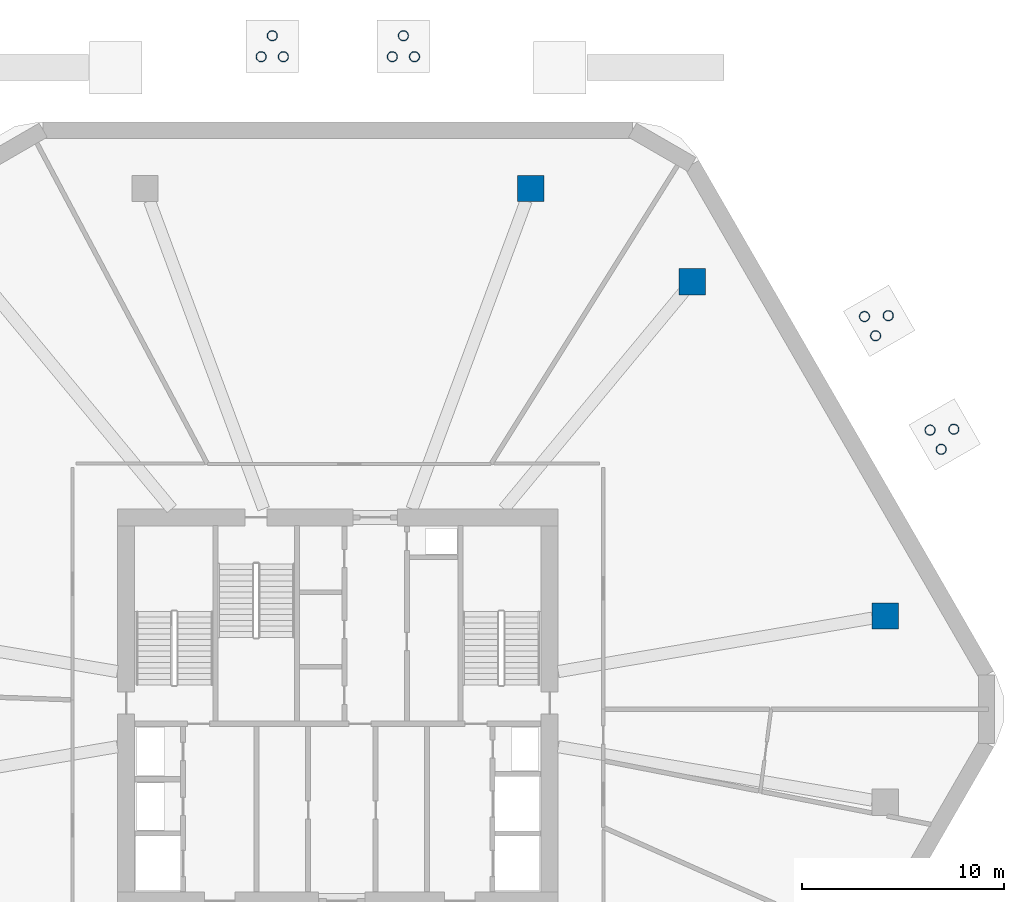
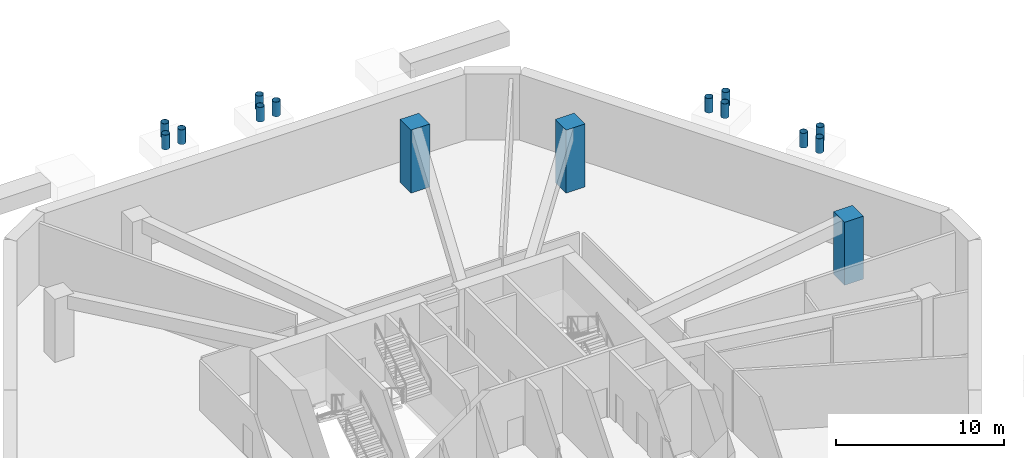
# One storey, part 5 of 10: 15 columns.
"""IFC4 building model written with IfcOpenShell, lengths in metres."""

from ifc_helpers import new_model, si_unit, direction, frame, origin, origin_2d, place, context, subcontext, project, spatial, rectangle, hollow_circle, extrude, material, material_profile, profile_set, type_object, element, save


model = new_model("IFC4")

# Units and contexts
model_context = context("Model", 3, precision=1e-05, world=origin(), true_north=direction((0.0, 1.0)))
body_context = subcontext(model_context, "Body", "Model", "MODEL_VIEW")
ifc_project = project(units=[si_unit("LENGTHUNIT", "METRE"), si_unit("AREAUNIT", "SQUARE_METRE"), si_unit("VOLUMEUNIT", "CUBIC_METRE"), si_unit("PLANEANGLEUNIT", "RADIAN"), si_unit("MASSUNIT", "GRAM", prefix="KILO")], contexts=[model_context])

# Site, building, storey
site_placement = place(None, origin())
site = spatial("IfcSite", under=ifc_project, at=site_placement, CompositionType="ELEMENT")
building_placement = place(site_placement, origin())
building = spatial("IfcBuilding", under=site, at=building_placement, Name="Zuhravey Tower", CompositionType="ELEMENT")
storey_placement = place(building_placement, frame((0.0, 0.0, -4.800048828125)))
storey = spatial("IfcBuildingStorey", under=building, at=storey_placement, Name="B01", CompositionType="ELEMENT", Elevation=-4.800048828125)

# Columns
ifc_material_1 = material(Name="Concrete C60/75", Category="concrete")
ifc_material_profile_1 = material_profile(ifc_material_1, rectangle(XDim=1.300048828125, YDim=1.300048828125, at=origin_2d()), Name="RC-1300x1300")
ifc_profile_set_1 = profile_set([ifc_material_profile_1], Name="Concrete C60/75")
column_type_1 = type_object("IfcColumnType", Name="Basement Column 1300x1300", PredefinedType="COLUMN", material=ifc_profile_set_1)
for number, where, z_axis, x_axis, name in (
    (1, (63.132080078125, 36.62109375, 0.0), (0.0, 0.0, 1.0), (1.0, 0.0, 0.0), "B01 Basement Column BC1-01"),
    (2, (53.568115234375, 53.1865234375, 0.0), (0.0, 0.0, 1.0), (1.0, 0.0, 0.0), "B01 Basement Column BC1-02"),
    (3, (45.56396484375, 57.8076171875, 0.0), (0.0, 0.0, 1.0), (1.0, 0.0, 0.0), "B01 Basement Column BC1-03"),
):
    element("IfcColumn", number, at=place(storey_placement, frame(where, z_axis=z_axis, x_axis=x_axis)), inside=storey, type_object=column_type_1, Name=name, PredefinedType="COLUMN", context=body_context, shape_type="SweptSolid", body=[
        extrude(rectangle(XDim=1.300048828125, YDim=1.300048828125, at=origin_2d()), origin(), (0.0, 0.0, 1.0), 4.580078125),
    ])
ifc_material_2 = material(Name="Steel SM355", Category="steel")
ifc_material_profile_2 = material_profile(ifc_material_2, hollow_circle(Radius=0.25390625, WallThickness=0.02001953125, at=origin_2d()), Name="CHS-508x20")
ifc_profile_set_2 = profile_set([ifc_material_profile_2], Name="Steel SM355")
column_type_2 = type_object("IfcColumnType", Name="Lobby Pavilion Column CHS508x20", PredefinedType="COLUMN", material=ifc_profile_set_2)
for number, where, z_axis, x_axis, name in (
    (4, (62.657958984375, 50.5087890625, 3.420166015625), (0.0, 0.0, 1.0), (1.0, 0.0, 0.0), "B01 Ramp 1 TOP Support Pier 1"),
    (5, (62.10791015625, 51.461181640625, 3.420166015625), (0.0, 0.0, 1.0), (1.0, 0.0, 0.0), "B01 Ramp 1 TOP Support Pier 2"),
    (6, (63.28369140625, 51.5048828125, 3.420166015625), (0.0, 0.0, 1.0), (1.0, 0.0, 0.0), "B01 Ramp 1 TOP Support Pier 3"),
    (7, (65.907958984375, 44.879638671875, 3.16015625), (0.0, 0.0, 1.0), (1.0, 0.0, 0.0), "B01 Ramp 1 BOT Support Pier 1"),
    (8, (65.35791015625, 45.832275390625, 3.16015625), (0.0, 0.0, 1.0), (1.0, 0.0, 0.0), "B01 Ramp 1 BOT Support Pier 2"),
    (9, (66.53369140625, 45.8759765625, 3.16015625), (0.0, 0.0, 1.0), (1.0, 0.0, 0.0), "B01 Ramp 1 BOT Support Pier 3"),
    (10, (33.300048828125, 64.3408203125, 3.420166015625), (0.0, 0.0, 1.0), (1.0, 0.0, 0.0), "B01 Ramp 2 TOP Support Pier 1"),
    (11, (32.199951171875, 64.3408203125, 3.420166015625), (0.0, 0.0, 1.0), (1.0, 0.0, 0.0), "B01 Ramp 2 TOP Support Pier 2"),
    (12, (32.75, 65.380859375, 3.420166015625), (0.0, 0.0, 1.0), (1.0, 0.0, 0.0), "B01 Ramp 2 TOP Support Pier 3"),
    (13, (39.800048828125, 64.3408203125, 3.16015625), (0.0, 0.0, 1.0), (1.0, 0.0, 0.0), "B01 Ramp 2 BOT Support Pier 1"),
    (14, (38.699951171875, 64.3408203125, 3.16015625), (0.0, 0.0, 1.0), (1.0, 0.0, 0.0), "B01 Ramp 2 BOT Support Pier 2"),
    (15, (39.25, 65.380859375, 3.16015625), (0.0, 0.0, 1.0), (1.0, 0.0, 0.0), "B01 Ramp 2 BOT Support Pier 3"),
):
    element("IfcColumn", number, at=place(storey_placement, frame(where, z_axis=z_axis, x_axis=x_axis)), inside=storey, type_object=column_type_2, Name=name, PredefinedType="COLUMN", context=body_context, shape_type="SweptSolid", body=[
        extrude(hollow_circle(Radius=0.25390625, WallThickness=0.02001953125, at=origin_2d()), origin(), (0.0, 0.0, 1.0), 1.059814453125),
    ])

save(model, "model.ifc")
